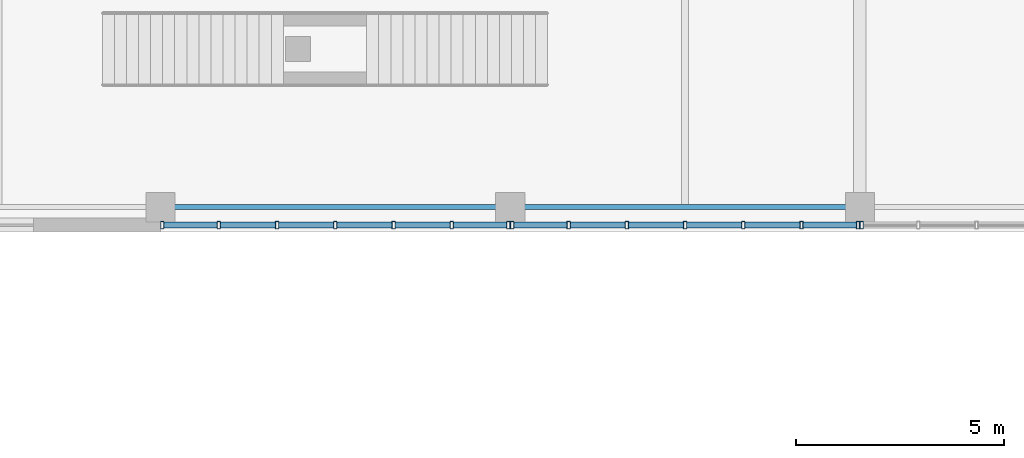
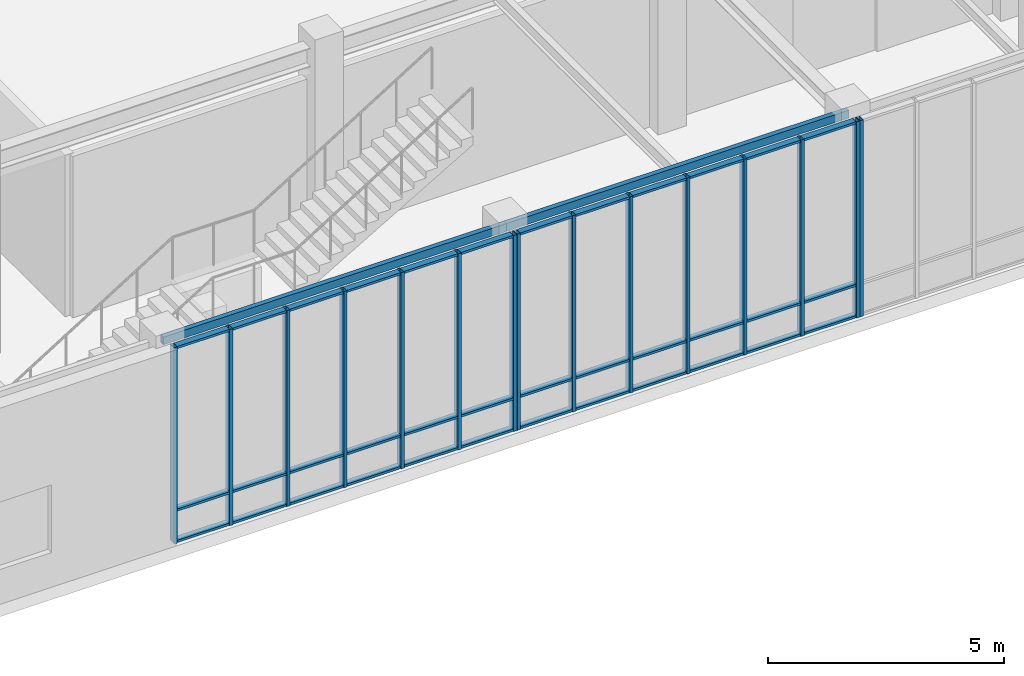
# One storey, part 74 of 122: 51 members, 2 beams, 3 elements without a shape of their own.
"""IFC4 building model written with IfcOpenShell, lengths in metres."""

from ifc_helpers import new_model, si_unit, direction, frame, origin, origin_2d, place, context, subcontext, project, spatial, hollow_rectangle, extrude, material, layer, layer_set, material_profile, profile_set, type_object, element, aggregate, save


model = new_model("IFC4")

# Units and contexts
model_context = context("Model", 3, precision=1e-05, world=origin(), true_north=direction((0.0, 1.0)))
body_context = subcontext(model_context, "Body", "Model", "MODEL_VIEW")
ifc_project = project(units=[si_unit("LENGTHUNIT", "METRE"), si_unit("AREAUNIT", "SQUARE_METRE"), si_unit("VOLUMEUNIT", "CUBIC_METRE"), si_unit("PLANEANGLEUNIT", "RADIAN"), si_unit("MASSUNIT", "GRAM", prefix="KILO")], contexts=[model_context])

# Site, building, storey
site_placement = place(None, origin())
site = spatial("IfcSite", under=ifc_project, at=site_placement, CompositionType="ELEMENT")
building_placement = place(site_placement, origin())
building = spatial("IfcBuilding", under=site, at=building_placement, Name="Zayran Congress Hotel", CompositionType="ELEMENT")
storey_placement = place(building_placement, origin())
storey = spatial("IfcBuildingStorey", under=building, at=storey_placement, Name="L00", CompositionType="ELEMENT", Elevation=0.0)

# Beams
ifc_material_1 = material(Name="Steel S355", Category="steel")
ifc_material_profile_1 = material_profile(ifc_material_1, hollow_rectangle(XDim=0.1201171875, YDim=0.199951171875, WallThickness=0.008056640625, at=origin_2d()), Name="RHS 200x120x8")
ifc_profile_set_1 = profile_set([ifc_material_profile_1], Name="Steel S355")
beam_type = type_object("IfcBeamType", Name="TP-SP-02", PredefinedType="SPANDREL", material=ifc_profile_set_1)
beam_1_placement = place(storey_placement, frame((151.199951171875, 85.0, 4.97998046875), z_axis=(1.0, 0.0, 0.0), x_axis=(0.0, 1.0, 0.0)))
element("IfcBeam", 1, at=beam_1_placement, inside=storey, type_object=beam_type, Name="BM-V2-L00-0897", PredefinedType="SPANDREL", context=body_context, shape_type="SweptSolid", body=[
    extrude(hollow_rectangle(XDim=0.1201171875, YDim=0.199951171875, WallThickness=0.008056640625, at=origin_2d()), origin(), (0.0, 0.0, 1.0), 8.400146484375),
])
beam_2_placement = place(storey_placement, frame((159.60009765625, 85.0, 4.97998046875), z_axis=(1.0, 0.0, 0.0), x_axis=(0.0, 1.0, 0.0)))
element("IfcBeam", 2, at=beam_2_placement, inside=storey, type_object=beam_type, Name="BM-V2-L00-0898", PredefinedType="SPANDREL", context=body_context, shape_type="SweptSolid", body=[
    extrude(hollow_rectangle(XDim=0.1201171875, YDim=0.199951171875, WallThickness=0.008056640625, at=origin_2d()), origin(), (0.0, 0.0, 1.0), 8.39990234375),
])

# Curtain wall, members
ifc_material_2 = material(Name="Anodised aluminium and low-E insulated glass", Category="aluminium")
ifc_layer_1 = layer(ifc_material_2, 0.179931640625)
ifc_layer_set_1 = layer_set([ifc_layer_1], Name="Anodised aluminium and low-E insulated glass")
curtain_wall_type_1 = type_object("IfcCurtainWallType", Name="CW-V2S-L00-CW-V22-8395-5080", PredefinedType="USERDEFINED", material=ifc_layer_set_1)
curtain_wall_1_placement = place(storey_placement, origin())
curtain_wall_1 = element("IfcCurtainWall", 3, at=curtain_wall_1_placement, inside=storey, type_object=curtain_wall_type_1, Name="CW-V2S-L00-1", ObjectType="CURTAIN WALL", PredefinedType="USERDEFINED")
ifc_material_3 = material(Name="Anodised aluminium framing", Category="aluminium")
ifc_material_profile_2 = material_profile(ifc_material_3, hollow_rectangle(XDim=0.080078125, YDim=0.179931640625, WallThickness=0.0048828125, at=origin_2d()), Name="RHS 180x80x5")
ifc_profile_set_2 = profile_set([ifc_material_profile_2], Name="Anodised aluminium framing")
member_type_1 = type_object("IfcMemberType", Name="TP-CWM-01", PredefinedType="MULLION", material=ifc_profile_set_2)
member_1_placement = place(storey_placement, frame((151.239990234375, 84.570068359375, 0.0), z_axis=(0.0, 0.0, 1.0), x_axis=(1.0, 0.0, 0.0)))
member_1 = element("IfcMember", 4, at=member_1_placement, type_object=member_type_1, Name="CW-V2S-L00-1-M00", PredefinedType="MULLION", context=body_context, shape_type="SweptSolid", body=[
    extrude(hollow_rectangle(XDim=0.080078125, YDim=0.179931640625, WallThickness=0.0048828125, at=origin_2d()), origin(), (0.0, 0.0, 1.0), 5.080078125),
])
member_2_placement = place(storey_placement, frame((152.59912109375, 84.570068359375, 0.0), z_axis=(0.0, 0.0, 1.0), x_axis=(1.0, 0.0, 0.0)))
member_2 = element("IfcMember", 5, at=member_2_placement, type_object=member_type_1, Name="CW-V2S-L00-1-M01", PredefinedType="MULLION", context=body_context, shape_type="SweptSolid", body=[
    extrude(hollow_rectangle(XDim=0.080078125, YDim=0.179931640625, WallThickness=0.0048828125, at=origin_2d()), origin(), (0.0, 0.0, 1.0), 5.080078125),
])
member_3_placement = place(storey_placement, frame((153.998291015625, 84.570068359375, 0.0), z_axis=(0.0, 0.0, 1.0), x_axis=(1.0, 0.0, 0.0)))
member_3 = element("IfcMember", 6, at=member_3_placement, type_object=member_type_1, Name="CW-V2S-L00-1-M02", PredefinedType="MULLION", context=body_context, shape_type="SweptSolid", body=[
    extrude(hollow_rectangle(XDim=0.080078125, YDim=0.179931640625, WallThickness=0.0048828125, at=origin_2d()), origin(), (0.0, 0.0, 1.0), 5.080078125),
])
member_4_placement = place(storey_placement, frame((155.3974609375, 84.570068359375, 0.0), z_axis=(0.0, 0.0, 1.0), x_axis=(1.0, 0.0, 0.0)))
member_4 = element("IfcMember", 7, at=member_4_placement, type_object=member_type_1, Name="CW-V2S-L00-1-M03", PredefinedType="MULLION", context=body_context, shape_type="SweptSolid", body=[
    extrude(hollow_rectangle(XDim=0.080078125, YDim=0.179931640625, WallThickness=0.0048828125, at=origin_2d()), origin(), (0.0, 0.0, 1.0), 5.080078125),
])
member_5_placement = place(storey_placement, frame((156.796630859375, 84.570068359375, 0.0), z_axis=(0.0, 0.0, 1.0), x_axis=(1.0, 0.0, 0.0)))
member_5 = element("IfcMember", 8, at=member_5_placement, type_object=member_type_1, Name="CW-V2S-L00-1-M04", PredefinedType="MULLION", context=body_context, shape_type="SweptSolid", body=[
    extrude(hollow_rectangle(XDim=0.080078125, YDim=0.179931640625, WallThickness=0.0048828125, at=origin_2d()), origin(), (0.0, 0.0, 1.0), 5.080078125),
])
member_6_placement = place(storey_placement, frame((158.19580078125, 84.570068359375, 0.0), z_axis=(0.0, 0.0, 1.0), x_axis=(1.0, 0.0, 0.0)))
member_6 = element("IfcMember", 9, at=member_6_placement, type_object=member_type_1, Name="CW-V2S-L00-1-M05", PredefinedType="MULLION", context=body_context, shape_type="SweptSolid", body=[
    extrude(hollow_rectangle(XDim=0.080078125, YDim=0.179931640625, WallThickness=0.0048828125, at=origin_2d()), origin(), (0.0, 0.0, 1.0), 5.080078125),
])
member_7_placement = place(storey_placement, frame((159.554931640625, 84.570068359375, 0.0), z_axis=(0.0, 0.0, 1.0), x_axis=(1.0, 0.0, 0.0)))
member_7 = element("IfcMember", 10, at=member_7_placement, type_object=member_type_1, Name="CW-V2S-L00-1-M06", PredefinedType="MULLION", context=body_context, shape_type="SweptSolid", body=[
    extrude(hollow_rectangle(XDim=0.080078125, YDim=0.179931640625, WallThickness=0.0048828125, at=origin_2d()), origin(), (0.0, 0.0, 1.0), 5.080078125),
])

ifc_layer_2 = layer(ifc_material_2, 0.179931640625)
ifc_layer_set_2 = layer_set([ifc_layer_2], Name="Anodised aluminium and low-E insulated glass")
curtain_wall_type_2 = type_object("IfcCurtainWallType", Name="CW-V2S-L00-CW-V21-8390-5080", PredefinedType="USERDEFINED", material=ifc_layer_set_2)
curtain_wall_2_placement = place(storey_placement, origin())
curtain_wall_2 = element("IfcCurtainWall", 11, at=curtain_wall_2_placement, inside=storey, type_object=curtain_wall_type_2, Name="CW-V2S-L00-2", ObjectType="CURTAIN WALL", PredefinedType="USERDEFINED")
member_8_placement = place(storey_placement, frame((159.64501953125, 84.570068359375, 0.0), z_axis=(0.0, 0.0, 1.0), x_axis=(1.0, 0.0, 0.0)))
member_8 = element("IfcMember", 12, at=member_8_placement, type_object=member_type_1, Name="CW-V2S-L00-2-M00", PredefinedType="MULLION", context=body_context, shape_type="SweptSolid", body=[
    extrude(hollow_rectangle(XDim=0.080078125, YDim=0.179931640625, WallThickness=0.0048828125, at=origin_2d()), origin(), (0.0, 0.0, 1.0), 5.080078125),
])
member_9_placement = place(storey_placement, frame((161.00341796875, 84.570068359375, 0.0), z_axis=(0.0, 0.0, 1.0), x_axis=(1.0, 0.0, 0.0)))
member_9 = element("IfcMember", 13, at=member_9_placement, type_object=member_type_1, Name="CW-V2S-L00-2-M01", PredefinedType="MULLION", context=body_context, shape_type="SweptSolid", body=[
    extrude(hollow_rectangle(XDim=0.080078125, YDim=0.179931640625, WallThickness=0.0048828125, at=origin_2d()), origin(), (0.0, 0.0, 1.0), 5.080078125),
])
member_10_placement = place(storey_placement, frame((162.401611328125, 84.570068359375, 0.0), z_axis=(0.0, 0.0, 1.0), x_axis=(1.0, 0.0, 0.0)))
member_10 = element("IfcMember", 14, at=member_10_placement, type_object=member_type_1, Name="CW-V2S-L00-2-M02", PredefinedType="MULLION", context=body_context, shape_type="SweptSolid", body=[
    extrude(hollow_rectangle(XDim=0.080078125, YDim=0.179931640625, WallThickness=0.0048828125, at=origin_2d()), origin(), (0.0, 0.0, 1.0), 5.080078125),
])
member_11_placement = place(storey_placement, frame((163.800048828125, 84.570068359375, 0.0), z_axis=(0.0, 0.0, 1.0), x_axis=(1.0, 0.0, 0.0)))
member_11 = element("IfcMember", 15, at=member_11_placement, type_object=member_type_1, Name="CW-V2S-L00-2-M03", PredefinedType="MULLION", context=body_context, shape_type="SweptSolid", body=[
    extrude(hollow_rectangle(XDim=0.080078125, YDim=0.179931640625, WallThickness=0.0048828125, at=origin_2d()), origin(), (0.0, 0.0, 1.0), 5.080078125),
])
member_12_placement = place(storey_placement, frame((165.1982421875, 84.570068359375, 0.0), z_axis=(0.0, 0.0, 1.0), x_axis=(1.0, 0.0, 0.0)))
member_12 = element("IfcMember", 16, at=member_12_placement, type_object=member_type_1, Name="CW-V2S-L00-2-M04", PredefinedType="MULLION", context=body_context, shape_type="SweptSolid", body=[
    extrude(hollow_rectangle(XDim=0.080078125, YDim=0.179931640625, WallThickness=0.0048828125, at=origin_2d()), origin(), (0.0, 0.0, 1.0), 5.080078125),
])
member_13_placement = place(storey_placement, frame((166.5966796875, 84.570068359375, 0.0), z_axis=(0.0, 0.0, 1.0), x_axis=(1.0, 0.0, 0.0)))
member_13 = element("IfcMember", 17, at=member_13_placement, type_object=member_type_1, Name="CW-V2S-L00-2-M05", PredefinedType="MULLION", context=body_context, shape_type="SweptSolid", body=[
    extrude(hollow_rectangle(XDim=0.080078125, YDim=0.179931640625, WallThickness=0.0048828125, at=origin_2d()), origin(), (0.0, 0.0, 1.0), 5.080078125),
])
member_14_placement = place(storey_placement, frame((167.955078125, 84.570068359375, 0.0), z_axis=(0.0, 0.0, 1.0), x_axis=(1.0, 0.0, 0.0)))
member_14 = element("IfcMember", 18, at=member_14_placement, type_object=member_type_1, Name="CW-V2S-L00-2-M06", PredefinedType="MULLION", context=body_context, shape_type="SweptSolid", body=[
    extrude(hollow_rectangle(XDim=0.080078125, YDim=0.179931640625, WallThickness=0.0048828125, at=origin_2d()), origin(), (0.0, 0.0, 1.0), 5.080078125),
])

# Curtain wall, member
ifc_layer_3 = layer(ifc_material_2, 0.179931640625)
ifc_layer_set_3 = layer_set([ifc_layer_3], Name="Anodised aluminium and low-E insulated glass")
curtain_wall_type_3 = type_object("IfcCurtainWallType", Name="CW-V2S-L00-CW-V22-8390-5080", PredefinedType="USERDEFINED", material=ifc_layer_set_3)
curtain_wall_3_placement = place(storey_placement, origin())
curtain_wall_3 = element("IfcCurtainWall", 19, at=curtain_wall_3_placement, inside=storey, type_object=curtain_wall_type_3, Name="CW-V2S-L00-3", ObjectType="CURTAIN WALL", PredefinedType="USERDEFINED")
member_15_placement = place(storey_placement, frame((168.044921875, 84.570068359375, 0.0), z_axis=(0.0, 0.0, 1.0), x_axis=(1.0, 0.0, 0.0)))
member_15 = element("IfcMember", 20, at=member_15_placement, type_object=member_type_1, Name="CW-V2S-L00-3-M00", PredefinedType="MULLION", context=body_context, shape_type="SweptSolid", body=[
    extrude(hollow_rectangle(XDim=0.080078125, YDim=0.179931640625, WallThickness=0.0048828125, at=origin_2d()), origin(), (0.0, 0.0, 1.0), 5.080078125),
])
aggregate(curtain_wall_3, [member_15])

# Member
ifc_material_profile_3 = material_profile(ifc_material_3, hollow_rectangle(XDim=0.06005859375, YDim=0.14990234375, WallThickness=0.00390625, at=origin_2d()), Name="RHS 150x60x4")
ifc_profile_set_3 = profile_set([ifc_material_profile_3], Name="Anodised aluminium framing")
member_type_2 = type_object("IfcMemberType", Name="TP-CWT-01", PredefinedType="USERDEFINED", material=ifc_profile_set_3)
member_16_placement = place(storey_placement, frame((151.280029296875, 84.570068359375, 0.030029296875), z_axis=(1.0, 0.0, 0.0), x_axis=(0.0, 0.0, 1.0)))
member_16 = element("IfcMember", 21, at=member_16_placement, type_object=member_type_2, Name="CW-V2S-L00-1-T00-0", ObjectType="TRANSOM", PredefinedType="USERDEFINED", context=body_context, shape_type="SweptSolid", body=[
    extrude(hollow_rectangle(XDim=0.06005859375, YDim=0.14990234375, WallThickness=0.00390625, at=origin_2d()), origin(), (0.0, 0.0, 1.0), 1.279052734375),
])

member_17_placement = place(storey_placement, frame((151.280029296875, 84.570068359375, 0.840087890625), z_axis=(1.0, 0.0, 0.0), x_axis=(0.0, 0.0, 1.0)))
member_17 = element("IfcMember", 22, at=member_17_placement, type_object=member_type_2, Name="CW-V2S-L00-1-T00-1", ObjectType="TRANSOM", PredefinedType="USERDEFINED", context=body_context, shape_type="SweptSolid", body=[
    extrude(hollow_rectangle(XDim=0.06005859375, YDim=0.14990234375, WallThickness=0.00390625, at=origin_2d()), origin(), (0.0, 0.0, 1.0), 1.279052734375),
])

member_18_placement = place(storey_placement, frame((151.280029296875, 84.570068359375, 5.050048828125), z_axis=(1.0, 0.0, 0.0), x_axis=(0.0, 0.0, 1.0)))
member_18 = element("IfcMember", 23, at=member_18_placement, type_object=member_type_2, Name="CW-V2S-L00-1-T00-2", ObjectType="TRANSOM", PredefinedType="USERDEFINED", context=body_context, shape_type="SweptSolid", body=[
    extrude(hollow_rectangle(XDim=0.06005859375, YDim=0.14990234375, WallThickness=0.00390625, at=origin_2d()), origin(), (0.0, 0.0, 1.0), 1.279052734375),
])

member_19_placement = place(storey_placement, frame((152.63916015625, 84.570068359375, 0.030029296875), z_axis=(1.0, 0.0, 0.0), x_axis=(0.0, 0.0, 1.0)))
member_19 = element("IfcMember", 24, at=member_19_placement, type_object=member_type_2, Name="CW-V2S-L00-1-T01-0", ObjectType="TRANSOM", PredefinedType="USERDEFINED", context=body_context, shape_type="SweptSolid", body=[
    extrude(hollow_rectangle(XDim=0.06005859375, YDim=0.14990234375, WallThickness=0.00390625, at=origin_2d()), origin(), (0.0, 0.0, 1.0), 1.319091796875),
])

member_20_placement = place(storey_placement, frame((152.63916015625, 84.570068359375, 0.840087890625), z_axis=(1.0, 0.0, 0.0), x_axis=(0.0, 0.0, 1.0)))
member_20 = element("IfcMember", 25, at=member_20_placement, type_object=member_type_2, Name="CW-V2S-L00-1-T01-1", ObjectType="TRANSOM", PredefinedType="USERDEFINED", context=body_context, shape_type="SweptSolid", body=[
    extrude(hollow_rectangle(XDim=0.06005859375, YDim=0.14990234375, WallThickness=0.00390625, at=origin_2d()), origin(), (0.0, 0.0, 1.0), 1.319091796875),
])

member_21_placement = place(storey_placement, frame((152.63916015625, 84.570068359375, 5.050048828125), z_axis=(1.0, 0.0, 0.0), x_axis=(0.0, 0.0, 1.0)))
member_21 = element("IfcMember", 26, at=member_21_placement, type_object=member_type_2, Name="CW-V2S-L00-1-T01-2", ObjectType="TRANSOM", PredefinedType="USERDEFINED", context=body_context, shape_type="SweptSolid", body=[
    extrude(hollow_rectangle(XDim=0.06005859375, YDim=0.14990234375, WallThickness=0.00390625, at=origin_2d()), origin(), (0.0, 0.0, 1.0), 1.319091796875),
])

member_22_placement = place(storey_placement, frame((154.038330078125, 84.570068359375, 0.030029296875), z_axis=(1.0, 0.0, 0.0), x_axis=(0.0, 0.0, 1.0)))
member_22 = element("IfcMember", 27, at=member_22_placement, type_object=member_type_2, Name="CW-V2S-L00-1-T02-0", ObjectType="TRANSOM", PredefinedType="USERDEFINED", context=body_context, shape_type="SweptSolid", body=[
    extrude(hollow_rectangle(XDim=0.06005859375, YDim=0.14990234375, WallThickness=0.00390625, at=origin_2d()), origin(), (0.0, 0.0, 1.0), 1.319091796875),
])

member_23_placement = place(storey_placement, frame((154.038330078125, 84.570068359375, 0.840087890625), z_axis=(1.0, 0.0, 0.0), x_axis=(0.0, 0.0, 1.0)))
member_23 = element("IfcMember", 28, at=member_23_placement, type_object=member_type_2, Name="CW-V2S-L00-1-T02-1", ObjectType="TRANSOM", PredefinedType="USERDEFINED", context=body_context, shape_type="SweptSolid", body=[
    extrude(hollow_rectangle(XDim=0.06005859375, YDim=0.14990234375, WallThickness=0.00390625, at=origin_2d()), origin(), (0.0, 0.0, 1.0), 1.319091796875),
])

member_24_placement = place(storey_placement, frame((154.038330078125, 84.570068359375, 5.050048828125), z_axis=(1.0, 0.0, 0.0), x_axis=(0.0, 0.0, 1.0)))
member_24 = element("IfcMember", 29, at=member_24_placement, type_object=member_type_2, Name="CW-V2S-L00-1-T02-2", ObjectType="TRANSOM", PredefinedType="USERDEFINED", context=body_context, shape_type="SweptSolid", body=[
    extrude(hollow_rectangle(XDim=0.06005859375, YDim=0.14990234375, WallThickness=0.00390625, at=origin_2d()), origin(), (0.0, 0.0, 1.0), 1.319091796875),
])

member_25_placement = place(storey_placement, frame((155.4375, 84.570068359375, 0.030029296875), z_axis=(1.0, 0.0, 0.0), x_axis=(0.0, 0.0, 1.0)))
member_25 = element("IfcMember", 30, at=member_25_placement, type_object=member_type_2, Name="CW-V2S-L00-1-T03-0", ObjectType="TRANSOM", PredefinedType="USERDEFINED", context=body_context, shape_type="SweptSolid", body=[
    extrude(hollow_rectangle(XDim=0.06005859375, YDim=0.14990234375, WallThickness=0.00390625, at=origin_2d()), origin(), (0.0, 0.0, 1.0), 1.319091796875),
])

member_26_placement = place(storey_placement, frame((155.4375, 84.570068359375, 0.840087890625), z_axis=(1.0, 0.0, 0.0), x_axis=(0.0, 0.0, 1.0)))
member_26 = element("IfcMember", 31, at=member_26_placement, type_object=member_type_2, Name="CW-V2S-L00-1-T03-1", ObjectType="TRANSOM", PredefinedType="USERDEFINED", context=body_context, shape_type="SweptSolid", body=[
    extrude(hollow_rectangle(XDim=0.06005859375, YDim=0.14990234375, WallThickness=0.00390625, at=origin_2d()), origin(), (0.0, 0.0, 1.0), 1.319091796875),
])

member_27_placement = place(storey_placement, frame((155.4375, 84.570068359375, 5.050048828125), z_axis=(1.0, 0.0, 0.0), x_axis=(0.0, 0.0, 1.0)))
member_27 = element("IfcMember", 32, at=member_27_placement, type_object=member_type_2, Name="CW-V2S-L00-1-T03-2", ObjectType="TRANSOM", PredefinedType="USERDEFINED", context=body_context, shape_type="SweptSolid", body=[
    extrude(hollow_rectangle(XDim=0.06005859375, YDim=0.14990234375, WallThickness=0.00390625, at=origin_2d()), origin(), (0.0, 0.0, 1.0), 1.319091796875),
])

member_28_placement = place(storey_placement, frame((156.836669921875, 84.570068359375, 0.030029296875), z_axis=(1.0, 0.0, 0.0), x_axis=(0.0, 0.0, 1.0)))
member_28 = element("IfcMember", 33, at=member_28_placement, type_object=member_type_2, Name="CW-V2S-L00-1-T04-0", ObjectType="TRANSOM", PredefinedType="USERDEFINED", context=body_context, shape_type="SweptSolid", body=[
    extrude(hollow_rectangle(XDim=0.06005859375, YDim=0.14990234375, WallThickness=0.00390625, at=origin_2d()), origin(), (0.0, 0.0, 1.0), 1.319091796875),
])

member_29_placement = place(storey_placement, frame((156.836669921875, 84.570068359375, 0.840087890625), z_axis=(1.0, 0.0, 0.0), x_axis=(0.0, 0.0, 1.0)))
member_29 = element("IfcMember", 34, at=member_29_placement, type_object=member_type_2, Name="CW-V2S-L00-1-T04-1", ObjectType="TRANSOM", PredefinedType="USERDEFINED", context=body_context, shape_type="SweptSolid", body=[
    extrude(hollow_rectangle(XDim=0.06005859375, YDim=0.14990234375, WallThickness=0.00390625, at=origin_2d()), origin(), (0.0, 0.0, 1.0), 1.319091796875),
])

member_30_placement = place(storey_placement, frame((156.836669921875, 84.570068359375, 5.050048828125), z_axis=(1.0, 0.0, 0.0), x_axis=(0.0, 0.0, 1.0)))
member_30 = element("IfcMember", 35, at=member_30_placement, type_object=member_type_2, Name="CW-V2S-L00-1-T04-2", ObjectType="TRANSOM", PredefinedType="USERDEFINED", context=body_context, shape_type="SweptSolid", body=[
    extrude(hollow_rectangle(XDim=0.06005859375, YDim=0.14990234375, WallThickness=0.00390625, at=origin_2d()), origin(), (0.0, 0.0, 1.0), 1.319091796875),
])

member_31_placement = place(storey_placement, frame((158.23583984375, 84.570068359375, 0.030029296875), z_axis=(1.0, 0.0, 0.0), x_axis=(0.0, 0.0, 1.0)))
member_31 = element("IfcMember", 36, at=member_31_placement, type_object=member_type_2, Name="CW-V2S-L00-1-T05-0", ObjectType="TRANSOM", PredefinedType="USERDEFINED", context=body_context, shape_type="SweptSolid", body=[
    extrude(hollow_rectangle(XDim=0.06005859375, YDim=0.14990234375, WallThickness=0.00390625, at=origin_2d()), origin(), (0.0, 0.0, 1.0), 1.279052734375),
])

member_32_placement = place(storey_placement, frame((158.23583984375, 84.570068359375, 0.840087890625), z_axis=(1.0, 0.0, 0.0), x_axis=(0.0, 0.0, 1.0)))
member_32 = element("IfcMember", 37, at=member_32_placement, type_object=member_type_2, Name="CW-V2S-L00-1-T05-1", ObjectType="TRANSOM", PredefinedType="USERDEFINED", context=body_context, shape_type="SweptSolid", body=[
    extrude(hollow_rectangle(XDim=0.06005859375, YDim=0.14990234375, WallThickness=0.00390625, at=origin_2d()), origin(), (0.0, 0.0, 1.0), 1.279052734375),
])

member_33_placement = place(storey_placement, frame((158.23583984375, 84.570068359375, 5.050048828125), z_axis=(1.0, 0.0, 0.0), x_axis=(0.0, 0.0, 1.0)))
member_33 = element("IfcMember", 38, at=member_33_placement, type_object=member_type_2, Name="CW-V2S-L00-1-T05-2", ObjectType="TRANSOM", PredefinedType="USERDEFINED", context=body_context, shape_type="SweptSolid", body=[
    extrude(hollow_rectangle(XDim=0.06005859375, YDim=0.14990234375, WallThickness=0.00390625, at=origin_2d()), origin(), (0.0, 0.0, 1.0), 1.279052734375),
])

aggregate(curtain_wall_1, [member_1, member_2, member_3, member_4, member_5, member_6, member_7, member_16, member_17, member_18, member_19, member_20, member_21, member_22, member_23, member_24, member_25, member_26, member_27, member_28, member_29, member_30, member_31, member_32, member_33])

member_34_placement = place(storey_placement, frame((159.68505859375, 84.570068359375, 0.030029296875), z_axis=(1.0, 0.0, 0.0), x_axis=(0.0, 0.0, 1.0)))
member_34 = element("IfcMember", 39, at=member_34_placement, type_object=member_type_2, Name="CW-V2S-L00-2-T00-0", ObjectType="TRANSOM", PredefinedType="USERDEFINED", context=body_context, shape_type="SweptSolid", body=[
    extrude(hollow_rectangle(XDim=0.06005859375, YDim=0.14990234375, WallThickness=0.00390625, at=origin_2d()), origin(), (0.0, 0.0, 1.0), 1.2783203125),
])

member_35_placement = place(storey_placement, frame((159.68505859375, 84.570068359375, 0.840087890625), z_axis=(1.0, 0.0, 0.0), x_axis=(0.0, 0.0, 1.0)))
member_35 = element("IfcMember", 40, at=member_35_placement, type_object=member_type_2, Name="CW-V2S-L00-2-T00-1", ObjectType="TRANSOM", PredefinedType="USERDEFINED", context=body_context, shape_type="SweptSolid", body=[
    extrude(hollow_rectangle(XDim=0.06005859375, YDim=0.14990234375, WallThickness=0.00390625, at=origin_2d()), origin(), (0.0, 0.0, 1.0), 1.2783203125),
])

member_36_placement = place(storey_placement, frame((159.68505859375, 84.570068359375, 5.050048828125), z_axis=(1.0, 0.0, 0.0), x_axis=(0.0, 0.0, 1.0)))
member_36 = element("IfcMember", 41, at=member_36_placement, type_object=member_type_2, Name="CW-V2S-L00-2-T00-2", ObjectType="TRANSOM", PredefinedType="USERDEFINED", context=body_context, shape_type="SweptSolid", body=[
    extrude(hollow_rectangle(XDim=0.06005859375, YDim=0.14990234375, WallThickness=0.00390625, at=origin_2d()), origin(), (0.0, 0.0, 1.0), 1.2783203125),
])

member_37_placement = place(storey_placement, frame((161.043212890625, 84.570068359375, 0.030029296875), z_axis=(1.0, 0.0, 0.0), x_axis=(0.0, 0.0, 1.0)))
member_37 = element("IfcMember", 42, at=member_37_placement, type_object=member_type_2, Name="CW-V2S-L00-2-T01-0", ObjectType="TRANSOM", PredefinedType="USERDEFINED", context=body_context, shape_type="SweptSolid", body=[
    extrude(hollow_rectangle(XDim=0.06005859375, YDim=0.14990234375, WallThickness=0.00390625, at=origin_2d()), origin(), (0.0, 0.0, 1.0), 1.318603515625),
])

member_38_placement = place(storey_placement, frame((161.043212890625, 84.570068359375, 0.840087890625), z_axis=(1.0, 0.0, 0.0), x_axis=(0.0, 0.0, 1.0)))
member_38 = element("IfcMember", 43, at=member_38_placement, type_object=member_type_2, Name="CW-V2S-L00-2-T01-1", ObjectType="TRANSOM", PredefinedType="USERDEFINED", context=body_context, shape_type="SweptSolid", body=[
    extrude(hollow_rectangle(XDim=0.06005859375, YDim=0.14990234375, WallThickness=0.00390625, at=origin_2d()), origin(), (0.0, 0.0, 1.0), 1.318603515625),
])

member_39_placement = place(storey_placement, frame((161.043212890625, 84.570068359375, 5.050048828125), z_axis=(1.0, 0.0, 0.0), x_axis=(0.0, 0.0, 1.0)))
member_39 = element("IfcMember", 44, at=member_39_placement, type_object=member_type_2, Name="CW-V2S-L00-2-T01-2", ObjectType="TRANSOM", PredefinedType="USERDEFINED", context=body_context, shape_type="SweptSolid", body=[
    extrude(hollow_rectangle(XDim=0.06005859375, YDim=0.14990234375, WallThickness=0.00390625, at=origin_2d()), origin(), (0.0, 0.0, 1.0), 1.318603515625),
])

member_40_placement = place(storey_placement, frame((162.441650390625, 84.570068359375, 0.030029296875), z_axis=(1.0, 0.0, 0.0), x_axis=(0.0, 0.0, 1.0)))
member_40 = element("IfcMember", 45, at=member_40_placement, type_object=member_type_2, Name="CW-V2S-L00-2-T02-0", ObjectType="TRANSOM", PredefinedType="USERDEFINED", context=body_context, shape_type="SweptSolid", body=[
    extrude(hollow_rectangle(XDim=0.06005859375, YDim=0.14990234375, WallThickness=0.00390625, at=origin_2d()), origin(), (0.0, 0.0, 1.0), 1.318359375),
])

member_41_placement = place(storey_placement, frame((162.441650390625, 84.570068359375, 0.840087890625), z_axis=(1.0, 0.0, 0.0), x_axis=(0.0, 0.0, 1.0)))
member_41 = element("IfcMember", 46, at=member_41_placement, type_object=member_type_2, Name="CW-V2S-L00-2-T02-1", ObjectType="TRANSOM", PredefinedType="USERDEFINED", context=body_context, shape_type="SweptSolid", body=[
    extrude(hollow_rectangle(XDim=0.06005859375, YDim=0.14990234375, WallThickness=0.00390625, at=origin_2d()), origin(), (0.0, 0.0, 1.0), 1.318359375),
])

member_42_placement = place(storey_placement, frame((162.441650390625, 84.570068359375, 5.050048828125), z_axis=(1.0, 0.0, 0.0), x_axis=(0.0, 0.0, 1.0)))
member_42 = element("IfcMember", 47, at=member_42_placement, type_object=member_type_2, Name="CW-V2S-L00-2-T02-2", ObjectType="TRANSOM", PredefinedType="USERDEFINED", context=body_context, shape_type="SweptSolid", body=[
    extrude(hollow_rectangle(XDim=0.06005859375, YDim=0.14990234375, WallThickness=0.00390625, at=origin_2d()), origin(), (0.0, 0.0, 1.0), 1.318359375),
])

member_43_placement = place(storey_placement, frame((163.840087890625, 84.570068359375, 0.030029296875), z_axis=(1.0, 0.0, 0.0), x_axis=(0.0, 0.0, 1.0)))
member_43 = element("IfcMember", 48, at=member_43_placement, type_object=member_type_2, Name="CW-V2S-L00-2-T03-0", ObjectType="TRANSOM", PredefinedType="USERDEFINED", context=body_context, shape_type="SweptSolid", body=[
    extrude(hollow_rectangle(XDim=0.06005859375, YDim=0.14990234375, WallThickness=0.00390625, at=origin_2d()), origin(), (0.0, 0.0, 1.0), 1.318115234375),
])

member_44_placement = place(storey_placement, frame((163.840087890625, 84.570068359375, 0.840087890625), z_axis=(1.0, 0.0, 0.0), x_axis=(0.0, 0.0, 1.0)))
member_44 = element("IfcMember", 49, at=member_44_placement, type_object=member_type_2, Name="CW-V2S-L00-2-T03-1", ObjectType="TRANSOM", PredefinedType="USERDEFINED", context=body_context, shape_type="SweptSolid", body=[
    extrude(hollow_rectangle(XDim=0.06005859375, YDim=0.14990234375, WallThickness=0.00390625, at=origin_2d()), origin(), (0.0, 0.0, 1.0), 1.318115234375),
])

member_45_placement = place(storey_placement, frame((163.840087890625, 84.570068359375, 5.050048828125), z_axis=(1.0, 0.0, 0.0), x_axis=(0.0, 0.0, 1.0)))
member_45 = element("IfcMember", 50, at=member_45_placement, type_object=member_type_2, Name="CW-V2S-L00-2-T03-2", ObjectType="TRANSOM", PredefinedType="USERDEFINED", context=body_context, shape_type="SweptSolid", body=[
    extrude(hollow_rectangle(XDim=0.06005859375, YDim=0.14990234375, WallThickness=0.00390625, at=origin_2d()), origin(), (0.0, 0.0, 1.0), 1.318115234375),
])

member_46_placement = place(storey_placement, frame((165.23828125, 84.570068359375, 0.030029296875), z_axis=(1.0, 0.0, 0.0), x_axis=(0.0, 0.0, 1.0)))
member_46 = element("IfcMember", 51, at=member_46_placement, type_object=member_type_2, Name="CW-V2S-L00-2-T04-0", ObjectType="TRANSOM", PredefinedType="USERDEFINED", context=body_context, shape_type="SweptSolid", body=[
    extrude(hollow_rectangle(XDim=0.06005859375, YDim=0.14990234375, WallThickness=0.00390625, at=origin_2d()), origin(), (0.0, 0.0, 1.0), 1.318359375),
])

member_47_placement = place(storey_placement, frame((165.23828125, 84.570068359375, 0.840087890625), z_axis=(1.0, 0.0, 0.0), x_axis=(0.0, 0.0, 1.0)))
member_47 = element("IfcMember", 52, at=member_47_placement, type_object=member_type_2, Name="CW-V2S-L00-2-T04-1", ObjectType="TRANSOM", PredefinedType="USERDEFINED", context=body_context, shape_type="SweptSolid", body=[
    extrude(hollow_rectangle(XDim=0.06005859375, YDim=0.14990234375, WallThickness=0.00390625, at=origin_2d()), origin(), (0.0, 0.0, 1.0), 1.318359375),
])

member_48_placement = place(storey_placement, frame((165.23828125, 84.570068359375, 5.050048828125), z_axis=(1.0, 0.0, 0.0), x_axis=(0.0, 0.0, 1.0)))
member_48 = element("IfcMember", 53, at=member_48_placement, type_object=member_type_2, Name="CW-V2S-L00-2-T04-2", ObjectType="TRANSOM", PredefinedType="USERDEFINED", context=body_context, shape_type="SweptSolid", body=[
    extrude(hollow_rectangle(XDim=0.06005859375, YDim=0.14990234375, WallThickness=0.00390625, at=origin_2d()), origin(), (0.0, 0.0, 1.0), 1.318359375),
])

member_49_placement = place(storey_placement, frame((166.63671875, 84.570068359375, 0.030029296875), z_axis=(1.0, 0.0, 0.0), x_axis=(0.0, 0.0, 1.0)))
member_49 = element("IfcMember", 54, at=member_49_placement, type_object=member_type_2, Name="CW-V2S-L00-2-T05-0", ObjectType="TRANSOM", PredefinedType="USERDEFINED", context=body_context, shape_type="SweptSolid", body=[
    extrude(hollow_rectangle(XDim=0.06005859375, YDim=0.14990234375, WallThickness=0.00390625, at=origin_2d()), origin(), (0.0, 0.0, 1.0), 1.2783203125),
])

member_50_placement = place(storey_placement, frame((166.63671875, 84.570068359375, 0.840087890625), z_axis=(1.0, 0.0, 0.0), x_axis=(0.0, 0.0, 1.0)))
member_50 = element("IfcMember", 55, at=member_50_placement, type_object=member_type_2, Name="CW-V2S-L00-2-T05-1", ObjectType="TRANSOM", PredefinedType="USERDEFINED", context=body_context, shape_type="SweptSolid", body=[
    extrude(hollow_rectangle(XDim=0.06005859375, YDim=0.14990234375, WallThickness=0.00390625, at=origin_2d()), origin(), (0.0, 0.0, 1.0), 1.2783203125),
])

member_51_placement = place(storey_placement, frame((166.63671875, 84.570068359375, 5.050048828125), z_axis=(1.0, 0.0, 0.0), x_axis=(0.0, 0.0, 1.0)))
member_51 = element("IfcMember", 56, at=member_51_placement, type_object=member_type_2, Name="CW-V2S-L00-2-T05-2", ObjectType="TRANSOM", PredefinedType="USERDEFINED", context=body_context, shape_type="SweptSolid", body=[
    extrude(hollow_rectangle(XDim=0.06005859375, YDim=0.14990234375, WallThickness=0.00390625, at=origin_2d()), origin(), (0.0, 0.0, 1.0), 1.2783203125),
])

aggregate(curtain_wall_2, [member_8, member_9, member_10, member_11, member_12, member_13, member_14, member_34, member_35, member_36, member_37, member_38, member_39, member_40, member_41, member_42, member_43, member_44, member_45, member_46, member_47, member_48, member_49, member_50, member_51])

save(model, "model.ifc")
